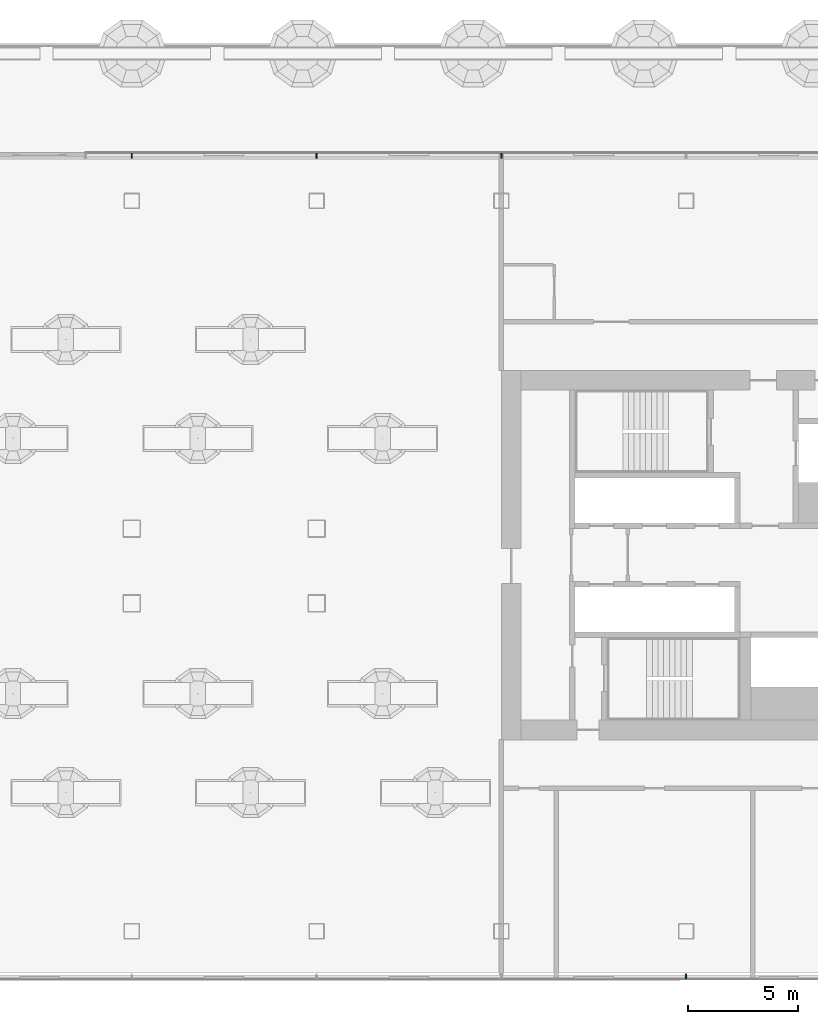
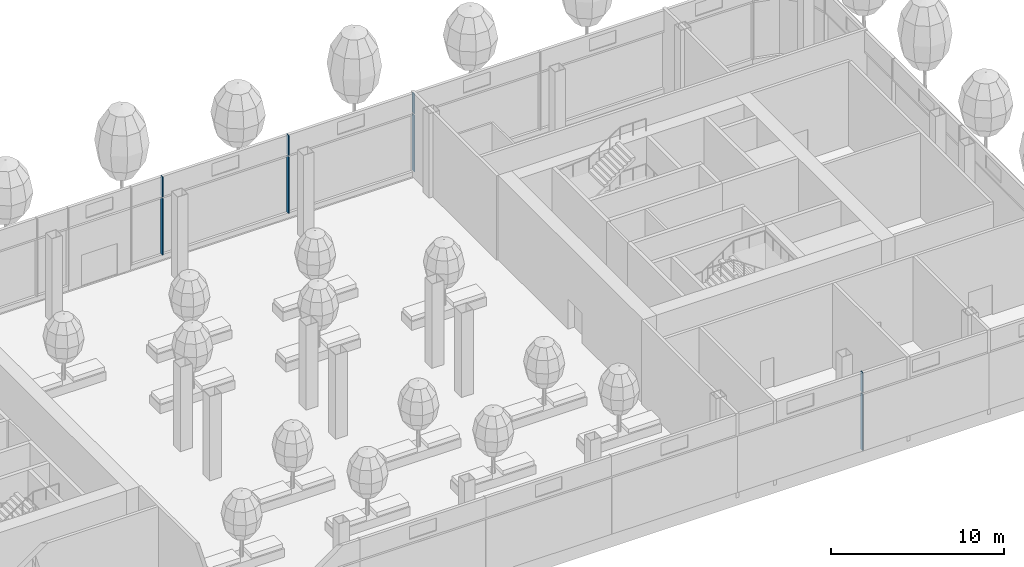
# One storey, part 7 of 43: 8 members, 2 elements without a shape of their own.
"""IFC4 building model written with IfcOpenShell, lengths in metres."""

from ifc_helpers import new_model, si_unit, direction, frame, origin, origin_2d, place, context, subcontext, project, spatial, rectangle, extrude, material, layer, layer_set, material_profile, profile_set, type_object, element, aggregate, save


model = new_model("IFC4")

# Units and contexts
model_context = context("Model", 3, precision=1e-05, world=origin(), true_north=direction((0.0, 1.0)))
body_context = subcontext(model_context, "Body", "Model", "MODEL_VIEW")
ifc_project = project(units=[si_unit("LENGTHUNIT", "METRE"), si_unit("AREAUNIT", "SQUARE_METRE"), si_unit("VOLUMEUNIT", "CUBIC_METRE"), si_unit("PLANEANGLEUNIT", "RADIAN"), si_unit("MASSUNIT", "GRAM", prefix="KILO")], contexts=[model_context])

# Site, building, storey
site_placement = place(None, origin())
site = spatial("IfcSite", under=ifc_project, at=site_placement, CompositionType="ELEMENT")
building_placement = place(site_placement, origin())
building = spatial("IfcBuilding", under=site, at=building_placement, Name="Hakoniwa Tower and Hamabe Station Hall", CompositionType="ELEMENT")
storey_placement = place(building_placement, frame((0.0, 0.0, 124.60009765625)))
storey = spatial("IfcBuildingStorey", under=building, at=storey_placement, Name="L35", CompositionType="ELEMENT", Elevation=124.60009765625)

# Curtain wall, members
ifc_material_1 = material(Name="Dark low-e laminated glass", Category="glass")
ifc_layer = layer(ifc_material_1, 0.199951171875)
ifc_layer_set = layer_set([ifc_layer], Name="CW-2 SKY GARDEN")
curtain_wall_type = type_object("IfcCurtainWallType", Name="CW-2 SKY GARDEN", PredefinedType="NOTDEFINED", material=ifc_layer_set)
curtain_wall_1_placement = place(storey_placement, origin())
curtain_wall_1 = element("IfcCurtainWall", 1, at=curtain_wall_1_placement, inside=storey, type_object=curtain_wall_type, Name="CW-2 curtain wall", PredefinedType="NOTDEFINED")
ifc_material_2 = material(Name="Aluminium 6063-T5 black anodised", Category="aluminium")
ifc_material_profile = material_profile(ifc_material_2, rectangle(XDim=0.06005859375, YDim=0.239990234375, at=origin_2d()), Name="CW-2 MULLION 60X240")
ifc_profile_set = profile_set([ifc_material_profile], Name="Aluminium 6063-T5 black anodised")
member_type = type_object("IfcMemberType", Name="CW-2 MULLION 60X240", PredefinedType="MULLION", material=ifc_profile_set)
member_1_placement = place(storey_placement, frame((16.800048828125, 18.152099609375, 0.349853515625), z_axis=(0.0, 0.0, 1.0), x_axis=(-1.0, 0.0, 0.0)))
member_1 = element("IfcMember", 2, at=member_1_placement, type_object=member_type, Name="CW-2 mullion", PredefinedType="MULLION", context=body_context, shape_type="SweptSolid", body=[
    extrude(rectangle(XDim=0.06005859375, YDim=0.239990234375, at=origin_2d()), origin(), (0.0, 0.0, 1.0), 3.97998046875),
])
member_2_placement = place(storey_placement, frame((16.800048828125, 18.152099609375, 4.449951171875), z_axis=(0.0, 0.0, 1.0), x_axis=(-1.0, 0.0, 0.0)))
member_2 = element("IfcMember", 3, at=member_2_placement, type_object=member_type, Name="CW-2 mullion", PredefinedType="MULLION", context=body_context, shape_type="SweptSolid", body=[
    extrude(rectangle(XDim=0.06005859375, YDim=0.239990234375, at=origin_2d()), origin(), (0.0, 0.0, 1.0), 1.39990234375),
])
member_3_placement = place(storey_placement, frame((8.39990234375, 18.152099609375, 0.349853515625), z_axis=(0.0, 0.0, 1.0), x_axis=(-1.0, 0.0, 0.0)))
member_3 = element("IfcMember", 4, at=member_3_placement, type_object=member_type, Name="CW-2 mullion", PredefinedType="MULLION", context=body_context, shape_type="SweptSolid", body=[
    extrude(rectangle(XDim=0.06005859375, YDim=0.239990234375, at=origin_2d()), origin(), (0.0, 0.0, 1.0), 3.97998046875),
])
member_4_placement = place(storey_placement, frame((8.39990234375, 18.152099609375, 4.449951171875), z_axis=(0.0, 0.0, 1.0), x_axis=(-1.0, 0.0, 0.0)))
member_4 = element("IfcMember", 5, at=member_4_placement, type_object=member_type, Name="CW-2 mullion", PredefinedType="MULLION", context=body_context, shape_type="SweptSolid", body=[
    extrude(rectangle(XDim=0.06005859375, YDim=0.239990234375, at=origin_2d()), origin(), (0.0, 0.0, 1.0), 1.39990234375),
])
member_5_placement = place(storey_placement, frame((0.0, 18.152099609375, 0.349853515625), z_axis=(0.0, 0.0, 1.0), x_axis=(-1.0, 0.0, 0.0)))
member_5 = element("IfcMember", 6, at=member_5_placement, type_object=member_type, Name="CW-2 mullion", PredefinedType="MULLION", context=body_context, shape_type="SweptSolid", body=[
    extrude(rectangle(XDim=0.06005859375, YDim=0.239990234375, at=origin_2d()), origin(), (0.0, 0.0, 1.0), 3.97998046875),
])
member_6_placement = place(storey_placement, frame((0.0, 18.152099609375, 4.449951171875), z_axis=(0.0, 0.0, 1.0), x_axis=(-1.0, 0.0, 0.0)))
member_6 = element("IfcMember", 7, at=member_6_placement, type_object=member_type, Name="CW-2 mullion", PredefinedType="MULLION", context=body_context, shape_type="SweptSolid", body=[
    extrude(rectangle(XDim=0.06005859375, YDim=0.239990234375, at=origin_2d()), origin(), (0.0, 0.0, 1.0), 1.39990234375),
])
aggregate(curtain_wall_1, [member_1, member_2, member_3, member_4, member_5, member_6])

curtain_wall_2_placement = place(storey_placement, origin())
curtain_wall_2 = element("IfcCurtainWall", 8, at=curtain_wall_2_placement, inside=storey, type_object=curtain_wall_type, Name="CW-2 curtain wall", PredefinedType="NOTDEFINED")
member_7_placement = place(storey_placement, frame((25.199951171875, -19.152099609375, 0.349853515625), z_axis=(0.0, 0.0, 1.0), x_axis=(1.0, 0.0, 0.0)))
member_7 = element("IfcMember", 9, at=member_7_placement, type_object=member_type, Name="CW-2 mullion", PredefinedType="MULLION", context=body_context, shape_type="SweptSolid", body=[
    extrude(rectangle(XDim=0.06005859375, YDim=0.239990234375, at=origin_2d()), origin(), (0.0, 0.0, 1.0), 3.97998046875),
])
member_8_placement = place(storey_placement, frame((25.199951171875, -19.152099609375, 4.449951171875), z_axis=(0.0, 0.0, 1.0), x_axis=(1.0, 0.0, 0.0)))
member_8 = element("IfcMember", 10, at=member_8_placement, type_object=member_type, Name="CW-2 mullion", PredefinedType="MULLION", context=body_context, shape_type="SweptSolid", body=[
    extrude(rectangle(XDim=0.06005859375, YDim=0.239990234375, at=origin_2d()), origin(), (0.0, 0.0, 1.0), 1.39990234375),
])
aggregate(curtain_wall_2, [member_7, member_8])

save(model, "model.ifc")
